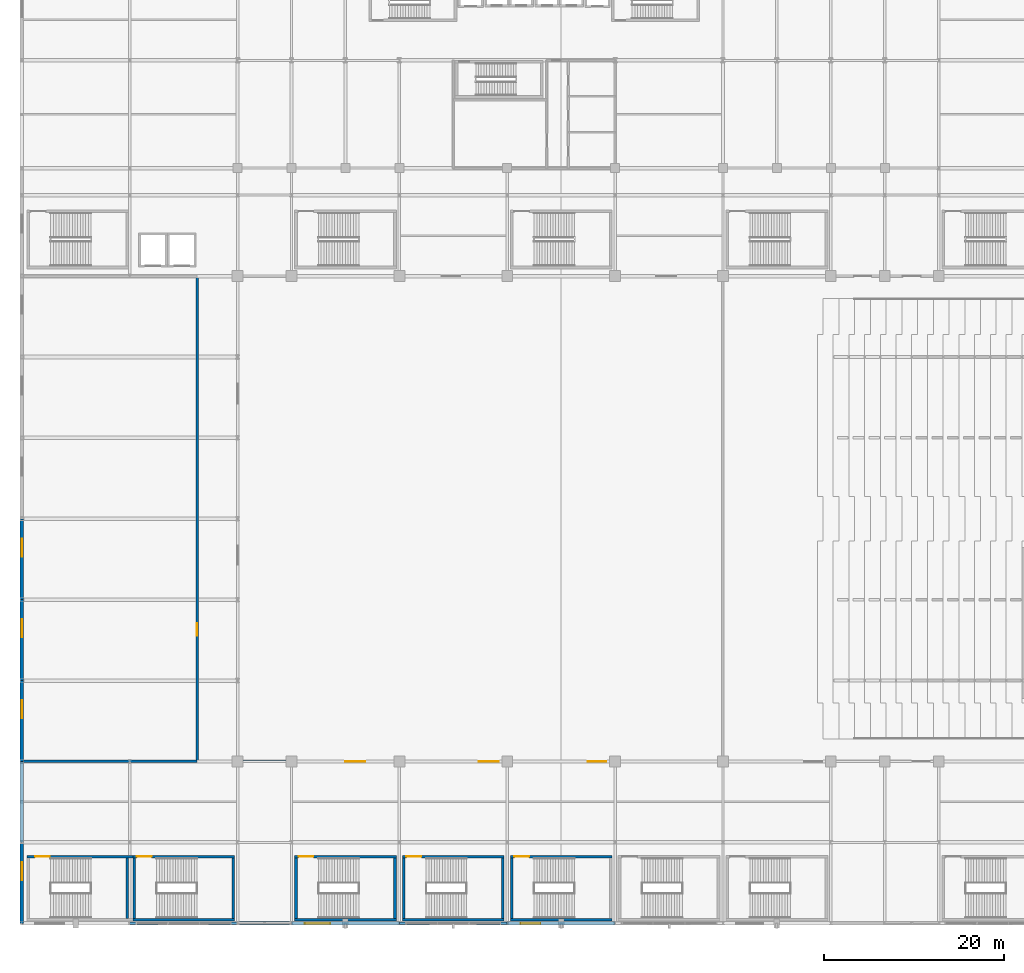
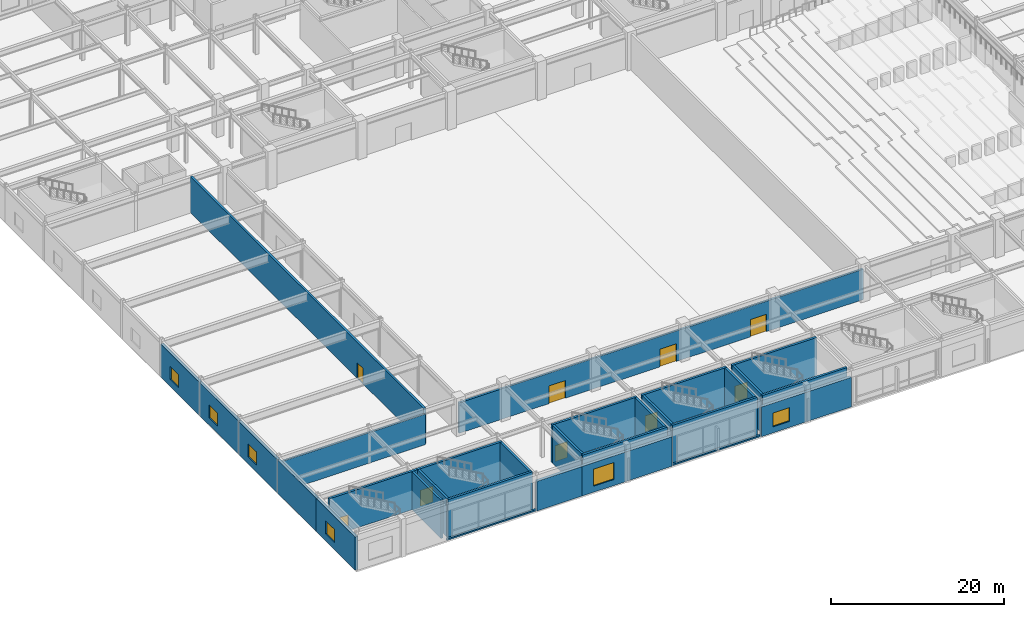
# One storey, part 79 of 100: 30 walls, 9 doors, 6 windows, 15 openings.
"""IFC4 building model written with IfcOpenShell, lengths in metres."""

from ifc_helpers import new_model, si_unit, direction, frame, frame_2d, origin, place, context, subcontext, project, spatial, rectangle, extrude, material, layer, layer_set, type_object, element, fill, save


model = new_model("IFC4")

# Units and contexts
model_context = context("Model", 3, precision=1e-05, world=origin(), true_north=direction((0.0, 1.0)))
body_context = subcontext(model_context, "Body", "Model", "MODEL_VIEW")
ifc_project = project(units=[si_unit("LENGTHUNIT", "METRE"), si_unit("AREAUNIT", "SQUARE_METRE"), si_unit("VOLUMEUNIT", "CUBIC_METRE"), si_unit("PLANEANGLEUNIT", "RADIAN"), si_unit("MASSUNIT", "GRAM", prefix="KILO")], contexts=[model_context])

# Site, building, storey
site_placement = place(None, origin())
site = spatial("IfcSite", under=ifc_project, at=site_placement, CompositionType="ELEMENT")
building_placement = place(site_placement, origin())
building = spatial("IfcBuilding", under=site, at=building_placement, Name="Kaldorvane Square Convention Centre", CompositionType="ELEMENT")
storey_placement = place(building_placement, frame((0.0, 0.0, 18.0)))
storey = spatial("IfcBuildingStorey", under=building, at=storey_placement, Name="L03", CompositionType="ELEMENT", Elevation=18.0)

# Wall, openings, doors
ifc_material_1 = material(Name="Reinforced Concrete Masonry Acoustic Partition", Category="masonry")
ifc_layer_1 = layer(ifc_material_1, 0.279998779296875)
ifc_layer_set_1 = layer_set([ifc_layer_1], Name="Reinforced Concrete Masonry Acoustic Partition")
wall_type_1 = type_object("IfcWallType", Name="WL-ACO-280", PredefinedType="PARTITIONING", material=ifc_layer_set_1)
wall_1_placement = place(storey_placement, frame((24.0, 18.0, 0.0), z_axis=(0.0, 0.0, 1.0), x_axis=(1.0, 0.0, 0.0)))
wall_1 = element("IfcWall", 1, at=wall_1_placement, inside=storey, type_object=wall_type_1, Name="Ballroom S Wall", PredefinedType="PARTITIONING", context=body_context, shape_type="SweptSolid", body=[
    extrude(rectangle(XDim=54.0, YDim=0.279998779296875, at=frame_2d((27.0, 0.0))), origin(), (0.0, 0.0, 1.0), 4.302001953125),
])
opening_1_placement = place(wall_1_placement, frame((12.0, 0.0, 0.0)))
opening_1 = element("IfcOpeningElement", 2, at=opening_1_placement, cuts=wall_1, Name="Opening ID-02", PredefinedType="OPENING", context=body_context, shape_type="SweptSolid", body=[
    extrude(rectangle(XDim=2.1999969482421875, YDim=2.5, at=frame_2d((1.100006103515625, 1.25))), frame((0.0, 0.154998779296875, 0.0), z_axis=(0.0, -1.0, 0.0), x_axis=(1.0, 0.0, 0.0)), (0.0, 0.0, 1.0), 0.30999755859375),
])
opening_2_placement = place(wall_1_placement, frame((26.830001831054688, 0.0, 0.0)))
opening_2 = element("IfcOpeningElement", 3, at=opening_2_placement, cuts=wall_1, Name="Opening ID-02", PredefinedType="OPENING", context=body_context, shape_type="SweptSolid", body=[
    extrude(rectangle(XDim=2.1999969482421875, YDim=2.5, at=frame_2d((1.100006103515625, 1.25))), frame((0.0, 0.154998779296875, 0.0), z_axis=(0.0, -1.0, 0.0), x_axis=(1.0, 0.0, 0.0)), (0.0, 0.0, 1.0), 0.30999755859375),
])
opening_3_placement = place(wall_1_placement, frame((38.92999267578125, 0.0, 0.0)))
opening_3 = element("IfcOpeningElement", 4, at=opening_3_placement, cuts=wall_1, Name="Opening ID-03", PredefinedType="OPENING", context=body_context, shape_type="SweptSolid", body=[
    extrude(rectangle(XDim=2.100006103515625, YDim=2.4499969482421875, at=frame_2d((1.0500030517578125, 1.225006103515625))), frame((0.0, 0.154998779296875, 0.0), z_axis=(0.0, -1.0, 0.0), x_axis=(1.0, 0.0, 0.0)), (0.0, 0.0, 1.0), 0.30999755859375),
])
ifc_material_2 = material(Name="Architectural Solid-Core White Oak")
door_type_1 = type_object("IfcDoorType", Name="DR-BALL-2100X2450", OperationType="DOUBLE_DOOR_SINGLE_SWING", PredefinedType="DOOR", material=ifc_material_2)
door_1_placement = place(opening_3_placement, origin())
door_1 = element("IfcDoor", 5, at=door_1_placement, inside=storey, type_object=door_type_1, Name="Ballroom Door 3", OperationType="DOUBLE_DOOR_SINGLE_SWING", OverallHeight=2.4499969482421875, OverallWidth=2.100006103515625, PredefinedType="DOOR", context=body_context, shape_type="SweptSolid", body=[
    extrude(rectangle(XDim=2.100006103515625, YDim=2.4499969482421875, at=frame_2d((1.0500030517578125, 1.225006103515625))), frame((0.0, 0.024993896484375, 0.0), z_axis=(0.0, -1.0, 0.0), x_axis=(1.0, 0.0, 0.0)), (0.0, 0.0, 1.0), 0.0500030517578125),
])
fill(opening_3, door_1)
door_type_2 = type_object("IfcDoorType", Name="DR-BALL-2200X2500", OperationType="DOUBLE_DOOR_SINGLE_SWING", PredefinedType="DOOR", material=ifc_material_2)
door_2_placement = place(opening_1_placement, origin())
door_2 = element("IfcDoor", 6, at=door_2_placement, inside=storey, type_object=door_type_2, Name="Ballroom Door 1", OperationType="DOUBLE_DOOR_SINGLE_SWING", OverallHeight=2.5, OverallWidth=2.1999969482421875, PredefinedType="DOOR", context=body_context, shape_type="SweptSolid", body=[
    extrude(rectangle(XDim=2.1999969482421875, YDim=2.5, at=frame_2d((1.100006103515625, 1.25))), frame((0.0, 0.024993896484375, 0.0), z_axis=(0.0, -1.0, 0.0), x_axis=(1.0, 0.0, 0.0)), (0.0, 0.0, 1.0), 0.0500030517578125),
])
fill(opening_1, door_2)
door_3_placement = place(opening_2_placement, origin())
door_3 = element("IfcDoor", 7, at=door_3_placement, inside=storey, type_object=door_type_2, Name="Ballroom Door 2", OperationType="DOUBLE_DOOR_SINGLE_SWING", OverallHeight=2.5, OverallWidth=2.1999969482421875, PredefinedType="DOOR", context=body_context, shape_type="SweptSolid", body=[
    extrude(rectangle(XDim=2.1999969482421875, YDim=2.5, at=frame_2d((1.100006103515625, 1.25))), frame((0.0, 0.024993896484375, 0.0), z_axis=(0.0, -1.0, 0.0), x_axis=(1.0, 0.0, 0.0)), (0.0, 0.0, 1.0), 0.0500030517578125),
])
fill(opening_2, door_3)

# Wall
wall_2_placement = place(storey_placement, frame((0.19000244140625, 18.0, 0.0), z_axis=(0.0, 0.0, 1.0), x_axis=(1.0, 0.0, 0.0)))
element("IfcWall", 8, at=wall_2_placement, inside=storey, type_object=wall_type_1, Name="Banquet Catering Kitchen S Wall", PredefinedType="PARTITIONING", context=body_context, shape_type="SweptSolid", body=[
    extrude(rectangle(XDim=19.30999755859375, YDim=0.279998779296875, at=frame_2d((9.654998779296875, 0.0))), origin(), (0.0, 0.0, 1.0), 4.302001953125),
])

# Wall, opening, door
wall_3_placement = place(storey_placement, frame((19.5, 18.0, 0.0), z_axis=(0.0, 0.0, 1.0), x_axis=(0.0, 1.0, 0.0)))
wall_3 = element("IfcWall", 9, at=wall_3_placement, inside=storey, type_object=wall_type_1, Name="Banquet Catering Kitchen E Wall", PredefinedType="PARTITIONING", context=body_context, shape_type="SweptSolid", body=[
    extrude(rectangle(XDim=54.0, YDim=0.279998779296875, at=frame_2d((27.0, 0.0))), origin(), (0.0, 0.0, 1.0), 5.0800018310546875),
])
opening_4_placement = place(wall_3_placement, frame((14.0, 0.0, 0.0)))
opening_4 = element("IfcOpeningElement", 10, at=opening_4_placement, cuts=wall_3, Name="Opening ID-08", PredefinedType="OPENING", context=body_context, shape_type="SweptSolid", body=[
    extrude(rectangle(XDim=1.399993896484375, YDim=2.1999969482421875, at=frame_2d((0.6999969482421875, 1.100006103515625))), frame((0.0, 0.154998779296875, 0.0), z_axis=(0.0, -1.0, 0.0), x_axis=(1.0, 0.0, 0.0)), (0.0, 0.0, 1.0), 0.30999755859375),
])
ifc_material_3 = material(Name="Insulated Hollow Metal Steel", Category="steel")
door_type_3 = type_object("IfcDoorType", Name="DR-SVC-1400X2200", OperationType="DOUBLE_DOOR_SINGLE_SWING", PredefinedType="DOOR", material=ifc_material_3)
door_4_placement = place(opening_4_placement, origin())
door_4 = element("IfcDoor", 11, at=door_4_placement, inside=storey, type_object=door_type_3, Name="Banquet Catering Kitchen Door 1", OperationType="DOUBLE_DOOR_SINGLE_SWING", OverallHeight=2.1999969482421875, OverallWidth=1.399993896484375, PredefinedType="DOOR", context=body_context, shape_type="SweptSolid", body=[
    extrude(rectangle(XDim=1.399993896484375, YDim=2.1999969482421875, at=frame_2d((0.6999969482421875, 1.100006103515625))), frame((0.0, 0.024993896484375, 0.0), z_axis=(0.0, -1.0, 0.0), x_axis=(1.0, 0.0, 0.0)), (0.0, 0.0, 1.0), 0.0500030517578125),
])
fill(opening_4, door_4)

# Wall
ifc_material_4 = material(Name="Concrete f'c = 42 MPa (Normalweight)", Category="concrete")
ifc_layer_2 = layer(ifc_material_4, 0.3800048828125)
ifc_layer_set_2 = layer_set([ifc_layer_2], Name="Concrete f'c = 42 MPa (Normalweight)")
wall_type_2 = type_object("IfcWallType", Name="WL-EXT-380", PredefinedType="STANDARD", material=ifc_layer_set_2)
wall_4_placement = place(storey_placement, frame((24.0, 0.0, 0.0), z_axis=(0.0, 0.0, 1.0), x_axis=(1.0, 0.0, 0.0)))
element("IfcWall", 12, at=wall_4_placement, inside=storey, type_object=wall_type_2, Name="South Square Brutalist Facade Wall (L03)", PredefinedType="STANDARD", context=body_context, shape_type="SweptSolid", body=[
    extrude(rectangle(XDim=6.0, YDim=0.3800048828125, at=frame_2d((3.0, 0.0))), origin(), (0.0, 0.0, 1.0), 4.175994873046875),
])

# Wall, opening, window
wall_5_placement = place(storey_placement, frame((30.0, 0.0, 0.0), z_axis=(0.0, 0.0, 1.0), x_axis=(1.0, 0.0, 0.0)))
wall_5 = element("IfcWall", 13, at=wall_5_placement, inside=storey, type_object=wall_type_2, Name="South Square Brutalist Facade Wall (L03)", PredefinedType="STANDARD", context=body_context, shape_type="SweptSolid", body=[
    extrude(rectangle(XDim=12.0, YDim=0.3800048828125, at=frame_2d((6.0, 0.0))), origin(), (0.0, 0.0, 1.0), 4.175994873046875),
])
opening_5_placement = place(wall_5_placement, frame((1.5, 0.0, 0.850006103515625)))
opening_5 = element("IfcOpeningElement", 14, at=opening_5_placement, cuts=wall_5, Name="Opening W-17", PredefinedType="OPENING", context=body_context, shape_type="SweptSolid", body=[
    extrude(rectangle(XDim=2.8000030517578125, YDim=2.399993896484375, at=frame_2d((1.399993896484375, 1.1999969482421875))), frame((0.0, 0.2050018310546875, 0.0), z_axis=(0.0, -1.0, 0.0), x_axis=(1.0, 0.0, 0.0)), (0.0, 0.0, 1.0), 0.410003662109375),
])
ifc_material_5 = material(Name="Anodized Aluminum and Low-E Insulated Glazing", Category="aluminium")
window_type_1 = type_object("IfcWindowType", Name="WN-POD-2800X2400", PartitioningType="DOUBLE_PANEL_VERTICAL", PredefinedType="WINDOW", material=ifc_material_5)
window_1_placement = place(opening_5_placement, origin())
window_1 = element("IfcWindow", 15, at=window_1_placement, inside=storey, type_object=window_type_1, Name="South Facade Window (L03)", OverallHeight=2.399993896484375, OverallWidth=2.8000030517578125, PartitioningType="DOUBLE_PANEL_VERTICAL", PredefinedType="WINDOW", context=body_context, shape_type="SweptSolid", body=[
    extrude(rectangle(XDim=2.8000030517578125, YDim=2.399993896484375, at=frame_2d((1.399993896484375, 1.1999969482421875))), frame((0.0, 0.029998779296875, 0.0), z_axis=(0.0, -1.0, 0.0), x_axis=(1.0, 0.0, 0.0)), (0.0, 0.0, 1.0), 0.05999755859375),
])
fill(opening_5, window_1)

wall_6_placement = place(storey_placement, frame((54.0, 0.0, 0.0), z_axis=(0.0, 0.0, 1.0), x_axis=(1.0, 0.0, 0.0)))
wall_6 = element("IfcWall", 16, at=wall_6_placement, inside=storey, type_object=wall_type_2, Name="South Square Brutalist Facade Wall (L03)", PredefinedType="STANDARD", context=body_context, shape_type="SweptSolid", body=[
    extrude(rectangle(XDim=12.0, YDim=0.3800048828125, at=frame_2d((6.0, 0.0))), origin(), (0.0, 0.0, 1.0), 4.175994873046875),
])
opening_6_placement = place(wall_6_placement, frame((1.5, 0.0, 0.850006103515625)))
opening_6 = element("IfcOpeningElement", 17, at=opening_6_placement, cuts=wall_6, Name="Opening W-20", PredefinedType="OPENING", context=body_context, shape_type="SweptSolid", body=[
    extrude(rectangle(XDim=2.1999969482421875, YDim=1.9499969482421875, at=frame_2d((1.100006103515625, 0.975006103515625))), frame((0.0, 0.2050018310546875, 0.0), z_axis=(0.0, -1.0, 0.0), x_axis=(1.0, 0.0, 0.0)), (0.0, 0.0, 1.0), 0.410003662109375),
])
window_type_2 = type_object("IfcWindowType", Name="WN-POD-2200X1950", PartitioningType="DOUBLE_PANEL_VERTICAL", PredefinedType="WINDOW", material=ifc_material_5)
window_2_placement = place(opening_6_placement, origin())
window_2 = element("IfcWindow", 18, at=window_2_placement, inside=storey, type_object=window_type_2, Name="South Facade Window (L03)", OverallHeight=1.9499969482421875, OverallWidth=2.1999969482421875, PartitioningType="DOUBLE_PANEL_VERTICAL", PredefinedType="WINDOW", context=body_context, shape_type="SweptSolid", body=[
    extrude(rectangle(XDim=2.1999969482421875, YDim=1.9499969482421875, at=frame_2d((1.100006103515625, 0.975006103515625))), frame((0.0, 0.029998779296875, 0.0), z_axis=(0.0, -1.0, 0.0), x_axis=(1.0, 0.0, 0.0)), (0.0, 0.0, 1.0), 0.05999755859375),
])
fill(opening_6, window_2)

wall_7_placement = place(storey_placement, frame((0.0, 9.0, 0.0), z_axis=(0.0, 0.0, 1.0), x_axis=(0.0, -1.0, 0.0)))
wall_7 = element("IfcWall", 19, at=wall_7_placement, inside=storey, type_object=wall_type_2, Name="West Brutalist Facade Wall (L03)", PredefinedType="STANDARD", context=body_context, shape_type="SweptSolid", body=[
    extrude(rectangle(XDim=9.0, YDim=0.3800048828125, at=frame_2d((4.5, 0.0))), origin(), (0.0, 0.0, 1.0), 4.66900634765625),
])
opening_7_placement = place(wall_7_placement, frame((2.1999969482421875, 0.0, 1.0)))
opening_7 = element("IfcOpeningElement", 20, at=opening_7_placement, cuts=wall_7, Name="Opening W-21", PredefinedType="OPENING", context=body_context, shape_type="SweptSolid", body=[
    extrude(rectangle(XDim=2.0, YDim=1.850006103515625, at=frame_2d((1.0, 0.9250030517578125))), frame((0.0, 0.2050018310546875, 0.0), z_axis=(0.0, -1.0, 0.0), x_axis=(1.0, 0.0, 0.0)), (0.0, 0.0, 1.0), 0.410003662109375),
])
window_type_3 = type_object("IfcWindowType", Name="WN-POD-2000X1850", PartitioningType="DOUBLE_PANEL_VERTICAL", PredefinedType="WINDOW", material=ifc_material_5)
window_3_placement = place(opening_7_placement, origin())
window_3 = element("IfcWindow", 21, at=window_3_placement, inside=storey, type_object=window_type_3, Name="West Facade Window (L03)", OverallHeight=1.850006103515625, OverallWidth=2.0, PartitioningType="DOUBLE_PANEL_VERTICAL", PredefinedType="WINDOW", context=body_context, shape_type="SweptSolid", body=[
    extrude(rectangle(XDim=2.0, YDim=1.850006103515625, at=frame_2d((1.0, 0.9250030517578125))), frame((0.0, 0.029998779296875, 0.0), z_axis=(0.0, -1.0, 0.0), x_axis=(1.0, 0.0, 0.0)), (0.0, 0.0, 1.0), 0.05999755859375),
])
fill(opening_7, window_3)

# Wall
wall_8_placement = place(storey_placement, frame((0.0, 18.0, 0.0), z_axis=(0.0, 0.0, 1.0), x_axis=(0.0, -1.0, 0.0)))
element("IfcWall", 22, at=wall_8_placement, inside=storey, type_object=wall_type_2, Name="West Brutalist Facade Wall (L03)", PredefinedType="STANDARD", context=body_context, shape_type="SweptSolid", body=[
    extrude(rectangle(XDim=9.0, YDim=0.3800048828125, at=frame_2d((4.5, 0.0))), origin(), (0.0, 0.0, 1.0), 4.66900634765625),
])

# Wall, opening, window
wall_9_placement = place(storey_placement, frame((0.0, 27.0, 0.0), z_axis=(0.0, 0.0, 1.0), x_axis=(0.0, -1.0, 0.0)))
wall_9 = element("IfcWall", 23, at=wall_9_placement, inside=storey, type_object=wall_type_2, Name="West Brutalist Facade Wall (L03)", PredefinedType="STANDARD", context=body_context, shape_type="SweptSolid", body=[
    extrude(rectangle(XDim=9.0, YDim=0.3800048828125, at=frame_2d((4.5, 0.0))), origin(), (0.0, 0.0, 1.0), 4.66900634765625),
])
opening_8_placement = place(wall_9_placement, frame((2.1999969482421875, 0.0, 1.0)))
opening_8 = element("IfcOpeningElement", 24, at=opening_8_placement, cuts=wall_9, Name="Opening W-21", PredefinedType="OPENING", context=body_context, shape_type="SweptSolid", body=[
    extrude(rectangle(XDim=2.0, YDim=1.850006103515625, at=frame_2d((1.0, 0.9250030517578125))), frame((0.0, 0.2050018310546875, 0.0), z_axis=(0.0, -1.0, 0.0), x_axis=(1.0, 0.0, 0.0)), (0.0, 0.0, 1.0), 0.410003662109375),
])
window_4_placement = place(opening_8_placement, origin())
window_4 = element("IfcWindow", 25, at=window_4_placement, inside=storey, type_object=window_type_3, Name="West Facade Window (L03)", OverallHeight=1.850006103515625, OverallWidth=2.0, PartitioningType="DOUBLE_PANEL_VERTICAL", PredefinedType="WINDOW", context=body_context, shape_type="SweptSolid", body=[
    extrude(rectangle(XDim=2.0, YDim=1.850006103515625, at=frame_2d((1.0, 0.9250030517578125))), frame((0.0, 0.029998779296875, 0.0), z_axis=(0.0, -1.0, 0.0), x_axis=(1.0, 0.0, 0.0)), (0.0, 0.0, 1.0), 0.05999755859375),
])
fill(opening_8, window_4)

wall_10_placement = place(storey_placement, frame((0.0, 36.0, 0.0), z_axis=(0.0, 0.0, 1.0), x_axis=(0.0, -1.0, 0.0)))
wall_10 = element("IfcWall", 26, at=wall_10_placement, inside=storey, type_object=wall_type_2, Name="West Brutalist Facade Wall (L03)", PredefinedType="STANDARD", context=body_context, shape_type="SweptSolid", body=[
    extrude(rectangle(XDim=9.0, YDim=0.3800048828125, at=frame_2d((4.5, 0.0))), origin(), (0.0, 0.0, 1.0), 4.66900634765625),
])
opening_9_placement = place(wall_10_placement, frame((2.1999969482421875, 0.0, 1.0)))
opening_9 = element("IfcOpeningElement", 27, at=opening_9_placement, cuts=wall_10, Name="Opening W-21", PredefinedType="OPENING", context=body_context, shape_type="SweptSolid", body=[
    extrude(rectangle(XDim=2.0, YDim=1.850006103515625, at=frame_2d((1.0, 0.9250030517578125))), frame((0.0, 0.2050018310546875, 0.0), z_axis=(0.0, -1.0, 0.0), x_axis=(1.0, 0.0, 0.0)), (0.0, 0.0, 1.0), 0.410003662109375),
])
window_5_placement = place(opening_9_placement, origin())
window_5 = element("IfcWindow", 28, at=window_5_placement, inside=storey, type_object=window_type_3, Name="West Facade Window (L03)", OverallHeight=1.850006103515625, OverallWidth=2.0, PartitioningType="DOUBLE_PANEL_VERTICAL", PredefinedType="WINDOW", context=body_context, shape_type="SweptSolid", body=[
    extrude(rectangle(XDim=2.0, YDim=1.850006103515625, at=frame_2d((1.0, 0.9250030517578125))), frame((0.0, 0.029998779296875, 0.0), z_axis=(0.0, -1.0, 0.0), x_axis=(1.0, 0.0, 0.0)), (0.0, 0.0, 1.0), 0.05999755859375),
])
fill(opening_9, window_5)

wall_11_placement = place(storey_placement, frame((0.0, 45.0, 0.0), z_axis=(0.0, 0.0, 1.0), x_axis=(0.0, -1.0, 0.0)))
wall_11 = element("IfcWall", 29, at=wall_11_placement, inside=storey, type_object=wall_type_2, Name="West Brutalist Facade Wall (L03)", PredefinedType="STANDARD", context=body_context, shape_type="SweptSolid", body=[
    extrude(rectangle(XDim=9.0, YDim=0.3800048828125, at=frame_2d((4.5, 0.0))), origin(), (0.0, 0.0, 1.0), 4.66900634765625),
])
opening_10_placement = place(wall_11_placement, frame((2.1999969482421875, 0.0, 1.0)))
opening_10 = element("IfcOpeningElement", 30, at=opening_10_placement, cuts=wall_11, Name="Opening W-21", PredefinedType="OPENING", context=body_context, shape_type="SweptSolid", body=[
    extrude(rectangle(XDim=2.0, YDim=1.850006103515625, at=frame_2d((1.0, 0.9250030517578125))), frame((0.0, 0.2050018310546875, 0.0), z_axis=(0.0, -1.0, 0.0), x_axis=(1.0, 0.0, 0.0)), (0.0, 0.0, 1.0), 0.410003662109375),
])
window_6_placement = place(opening_10_placement, origin())
window_6 = element("IfcWindow", 31, at=window_6_placement, inside=storey, type_object=window_type_3, Name="West Facade Window (L03)", OverallHeight=1.850006103515625, OverallWidth=2.0, PartitioningType="DOUBLE_PANEL_VERTICAL", PredefinedType="WINDOW", context=body_context, shape_type="SweptSolid", body=[
    extrude(rectangle(XDim=2.0, YDim=1.850006103515625, at=frame_2d((1.0, 0.9250030517578125))), frame((0.0, 0.029998779296875, 0.0), z_axis=(0.0, -1.0, 0.0), x_axis=(1.0, 0.0, 0.0)), (0.0, 0.0, 1.0), 0.05999755859375),
])
fill(opening_10, window_6)

# Walls
ifc_material_6 = material(Name="Concrete f'c = 35 MPa (Normalweight)", Category="concrete")
ifc_layer_3 = layer(ifc_material_6, 0.279998779296875)
ifc_layer_set_3 = layer_set([ifc_layer_3], Name="Concrete f'c = 35 MPa (Normalweight)")
wall_type_3 = type_object("IfcWallType", Name="WL-PAR-280", PredefinedType="PARAPET", material=ifc_layer_set_3)
for number, where, z_axis, x_axis, name in (
    (32, (12.0, 0.0, 0.0), (0.0, 0.0, 1.0), (1.0, 0.0, 0.0), "Curtain-Wall Sill Kerb (L03)"),
    (33, (42.0, 0.0, 0.0), (0.0, 0.0, 1.0), (1.0, 0.0, 0.0), "Curtain-Wall Sill Kerb (L03)"),
):
    element("IfcWall", number, at=place(storey_placement, frame(where, z_axis=z_axis, x_axis=x_axis)), inside=storey, type_object=wall_type_3, Name=name, PredefinedType="PARAPET", context=body_context, shape_type="SweptSolid", body=[
        extrude(rectangle(XDim=12.0, YDim=0.279998779296875, at=frame_2d((6.0, 0.0))), origin(), (0.0, 0.0, 1.0), 0.1999969482421875),
    ])

# Wall, opening, door
ifc_material_7 = material(Name="Concrete f'c = 55 MPa (Normalweight)", Category="concrete")
ifc_layer_4 = layer(ifc_material_7, 0.3000030517578125)
ifc_layer_set_4 = layer_set([ifc_layer_4], Name="Concrete f'c = 55 MPa (Normalweight)")
wall_type_4 = type_object("IfcWallType", Name="WL-SHAFT-300", PredefinedType="SHEAR", material=ifc_layer_set_4)
wall_12_placement = place(storey_placement, frame((12.339996337890625, 7.410003662109375, 0.0), z_axis=(0.0, 0.0, 1.0), x_axis=(-1.0, 0.0, 0.0)))
wall_12 = element("IfcWall", 34, at=wall_12_placement, inside=storey, type_object=wall_type_4, Name="Core Enclosure Wall stair:ST-C1-N (L03)", PredefinedType="SHEAR", context=body_context, shape_type="SweptSolid", body=[
    extrude(rectangle(XDim=11.779998779296875, YDim=0.3000030517578125, at=frame_2d((5.8899993896484375, 0.0))), origin(), (0.0, 0.0, 1.0), 5.399993896484375),
])
opening_11_placement = place(wall_12_placement, frame((9.220001220703125, 0.0, 0.0)))
opening_11 = element("IfcOpeningElement", 35, at=opening_11_placement, cuts=wall_12, Name="Opening FD90-S2", PredefinedType="OPENING", context=body_context, shape_type="SweptSolid", body=[
    extrude(rectangle(XDim=1.649993896484375, YDim=2.25, at=frame_2d((0.8249969482421875, 1.125))), frame((0.0, 0.165008544921875, 0.0), z_axis=(0.0, -1.0, 0.0), x_axis=(1.0, 0.0, 0.0)), (0.0, 0.0, 1.0), 0.3300018310546875),
])
ifc_material_8 = material(Name="Fire-Rated Hollow Metal Steel", Category="steel")
door_type_4 = type_object("IfcDoorType", Name="DR-STAIR-1650", OperationType="DOUBLE_DOOR_SINGLE_SWING", PredefinedType="DOOR", material=ifc_material_8)
door_5_placement = place(opening_11_placement, origin())
door_5 = element("IfcDoor", 36, at=door_5_placement, inside=storey, type_object=door_type_4, Name="Convention Exit Stair C1 Fire Door (L03)", OperationType="DOUBLE_DOOR_SINGLE_SWING", OverallHeight=2.25, OverallWidth=1.649993896484375, PredefinedType="DOOR", context=body_context, shape_type="SweptSolid", body=[
    extrude(rectangle(XDim=1.649993896484375, YDim=2.25, at=frame_2d((0.8249969482421875, 1.125))), frame((0.0, 0.024993896484375, 0.0), z_axis=(0.0, -1.0, 0.0), x_axis=(1.0, 0.0, 0.0)), (0.0, 0.0, 1.0), 0.0500030517578125),
])
fill(opening_11, door_5)

# Walls
wall_13_placement = place(storey_placement, frame((11.729995727539062, 0.5500030517578125, 0.0), z_axis=(0.0, 0.0, 1.0), x_axis=(0.0, 1.0, 0.0)))
element("IfcWall", 37, at=wall_13_placement, inside=storey, type_object=wall_type_4, Name="Core Enclosure Wall stair:ST-C1-E (L03)", PredefinedType="SHEAR", context=body_context, shape_type="SweptSolid", body=[
    extrude(rectangle(XDim=6.709991455078125, YDim=0.3000030517578125, at=frame_2d((3.3549957275390625, 0.0))), origin(), (0.0, 0.0, 1.0), 5.399993896484375),
])
wall_14_placement = place(storey_placement, frame((23.660003662109375, 0.399993896484375, 0.0), z_axis=(0.0, 0.0, 1.0), x_axis=(-1.0, 0.0, 0.0)))
element("IfcWall", 38, at=wall_14_placement, inside=storey, type_object=wall_type_4, Name="Core Enclosure Wall stair:ST-C2-S (L03)", PredefinedType="SHEAR", context=body_context, shape_type="SweptSolid", body=[
    extrude(rectangle(XDim=11.32000732421875, YDim=0.3000030517578125, at=frame_2d((5.660003662109375, 0.0))), origin(), (0.0, 0.0, 1.0), 5.399993896484375),
])

# Wall, opening, door
wall_15_placement = place(storey_placement, frame((23.660003662109375, 7.410003662109375, 0.0), z_axis=(0.0, 0.0, 1.0), x_axis=(-1.0, 0.0, 0.0)))
wall_15 = element("IfcWall", 39, at=wall_15_placement, inside=storey, type_object=wall_type_4, Name="Core Enclosure Wall stair:ST-C2-N (L03)", PredefinedType="SHEAR", context=body_context, shape_type="SweptSolid", body=[
    extrude(rectangle(XDim=11.32000732421875, YDim=0.3000030517578125, at=frame_2d((5.660003662109375, 0.0))), origin(), (0.0, 0.0, 1.0), 5.399993896484375),
])
opening_12_placement = place(wall_15_placement, frame((9.220001220703125, 0.0, 0.0)))
opening_12 = element("IfcOpeningElement", 40, at=opening_12_placement, cuts=wall_15, Name="Opening FD90-S2", PredefinedType="OPENING", context=body_context, shape_type="SweptSolid", body=[
    extrude(rectangle(XDim=1.649993896484375, YDim=2.25, at=frame_2d((0.8249969482421875, 1.125))), frame((0.0, 0.165008544921875, 0.0), z_axis=(0.0, -1.0, 0.0), x_axis=(1.0, 0.0, 0.0)), (0.0, 0.0, 1.0), 0.3300018310546875),
])
door_6_placement = place(opening_12_placement, origin())
door_6 = element("IfcDoor", 41, at=door_6_placement, inside=storey, type_object=door_type_4, Name="Convention Exit Stair C2 Fire Door (L03)", OperationType="DOUBLE_DOOR_SINGLE_SWING", OverallHeight=2.25, OverallWidth=1.649993896484375, PredefinedType="DOOR", context=body_context, shape_type="SweptSolid", body=[
    extrude(rectangle(XDim=1.649993896484375, YDim=2.25, at=frame_2d((0.8249969482421875, 1.125))), frame((0.0, 0.024993896484375, 0.0), z_axis=(0.0, -1.0, 0.0), x_axis=(1.0, 0.0, 0.0)), (0.0, 0.0, 1.0), 0.0500030517578125),
])
fill(opening_12, door_6)

# Walls
for number, where, z_axis, x_axis, name in (
    (42, (12.490005493164062, 7.2599945068359375, 0.0), (0.0, 0.0, 1.0), (0.0, -1.0, 0.0), "Core Enclosure Wall stair:ST-C2-W (L03)"),
    (43, (23.509994506835938, 0.5500030517578125, 0.0), (0.0, 0.0, 1.0), (0.0, 1.0, 0.0), "Core Enclosure Wall stair:ST-C2-E (L03)"),
):
    element("IfcWall", number, at=place(storey_placement, frame(where, z_axis=z_axis, x_axis=x_axis)), inside=storey, type_object=wall_type_4, Name=name, PredefinedType="SHEAR", context=body_context, shape_type="SweptSolid", body=[
        extrude(rectangle(XDim=6.709991455078125, YDim=0.3000030517578125, at=frame_2d((3.3549957275390625, 0.0))), origin(), (0.0, 0.0, 1.0), 5.399993896484375),
    ])
wall_16_placement = place(storey_placement, frame((41.660003662109375, 0.399993896484375, 0.0), z_axis=(0.0, 0.0, 1.0), x_axis=(-1.0, 0.0, 0.0)))
element("IfcWall", 44, at=wall_16_placement, inside=storey, type_object=wall_type_4, Name="Core Enclosure Wall stair:ST-C3-S (L03)", PredefinedType="SHEAR", context=body_context, shape_type="SweptSolid", body=[
    extrude(rectangle(XDim=11.32000732421875, YDim=0.3000030517578125, at=frame_2d((5.660003662109375, 0.0))), origin(), (0.0, 0.0, 1.0), 5.399993896484375),
])

# Wall, opening, door
wall_17_placement = place(storey_placement, frame((41.660003662109375, 7.410003662109375, 0.0), z_axis=(0.0, 0.0, 1.0), x_axis=(-1.0, 0.0, 0.0)))
wall_17 = element("IfcWall", 45, at=wall_17_placement, inside=storey, type_object=wall_type_4, Name="Core Enclosure Wall stair:ST-C3-N (L03)", PredefinedType="SHEAR", context=body_context, shape_type="SweptSolid", body=[
    extrude(rectangle(XDim=11.32000732421875, YDim=0.3000030517578125, at=frame_2d((5.660003662109375, 0.0))), origin(), (0.0, 0.0, 1.0), 5.399993896484375),
])
opening_13_placement = place(wall_17_placement, frame((9.220001220703125, 0.0, 0.0)))
opening_13 = element("IfcOpeningElement", 46, at=opening_13_placement, cuts=wall_17, Name="Opening FD90-S2", PredefinedType="OPENING", context=body_context, shape_type="SweptSolid", body=[
    extrude(rectangle(XDim=1.649993896484375, YDim=2.25, at=frame_2d((0.8249969482421875, 1.125))), frame((0.0, 0.165008544921875, 0.0), z_axis=(0.0, -1.0, 0.0), x_axis=(1.0, 0.0, 0.0)), (0.0, 0.0, 1.0), 0.3300018310546875),
])
door_7_placement = place(opening_13_placement, origin())
door_7 = element("IfcDoor", 47, at=door_7_placement, inside=storey, type_object=door_type_4, Name="Convention Exit Stair C3 Fire Door (L03)", OperationType="DOUBLE_DOOR_SINGLE_SWING", OverallHeight=2.25, OverallWidth=1.649993896484375, PredefinedType="DOOR", context=body_context, shape_type="SweptSolid", body=[
    extrude(rectangle(XDim=1.649993896484375, YDim=2.25, at=frame_2d((0.8249969482421875, 1.125))), frame((0.0, 0.024993896484375, 0.0), z_axis=(0.0, -1.0, 0.0), x_axis=(1.0, 0.0, 0.0)), (0.0, 0.0, 1.0), 0.0500030517578125),
])
fill(opening_13, door_7)

# Walls
for number, where, z_axis, x_axis, name in (
    (48, (30.490005493164062, 7.2599945068359375, 0.0), (0.0, 0.0, 1.0), (0.0, -1.0, 0.0), "Core Enclosure Wall stair:ST-C3-W (L03)"),
    (49, (41.50999450683594, 0.5500030517578125, 0.0), (0.0, 0.0, 1.0), (0.0, 1.0, 0.0), "Core Enclosure Wall stair:ST-C3-E (L03)"),
):
    element("IfcWall", number, at=place(storey_placement, frame(where, z_axis=z_axis, x_axis=x_axis)), inside=storey, type_object=wall_type_4, Name=name, PredefinedType="SHEAR", context=body_context, shape_type="SweptSolid", body=[
        extrude(rectangle(XDim=6.709991455078125, YDim=0.3000030517578125, at=frame_2d((3.3549957275390625, 0.0))), origin(), (0.0, 0.0, 1.0), 5.399993896484375),
    ])
wall_18_placement = place(storey_placement, frame((53.660003662109375, 0.399993896484375, 0.0), z_axis=(0.0, 0.0, 1.0), x_axis=(-1.0, 0.0, 0.0)))
element("IfcWall", 50, at=wall_18_placement, inside=storey, type_object=wall_type_4, Name="Core Enclosure Wall stair:ST-C4-S (L03)", PredefinedType="SHEAR", context=body_context, shape_type="SweptSolid", body=[
    extrude(rectangle(XDim=11.32000732421875, YDim=0.3000030517578125, at=frame_2d((5.660003662109375, 0.0))), origin(), (0.0, 0.0, 1.0), 5.399993896484375),
])

# Wall, opening, door
wall_19_placement = place(storey_placement, frame((53.660003662109375, 7.410003662109375, 0.0), z_axis=(0.0, 0.0, 1.0), x_axis=(-1.0, 0.0, 0.0)))
wall_19 = element("IfcWall", 51, at=wall_19_placement, inside=storey, type_object=wall_type_4, Name="Core Enclosure Wall stair:ST-C4-N (L03)", PredefinedType="SHEAR", context=body_context, shape_type="SweptSolid", body=[
    extrude(rectangle(XDim=11.32000732421875, YDim=0.3000030517578125, at=frame_2d((5.660003662109375, 0.0))), origin(), (0.0, 0.0, 1.0), 5.399993896484375),
])
opening_14_placement = place(wall_19_placement, frame((9.220001220703125, 0.0, 0.0)))
opening_14 = element("IfcOpeningElement", 52, at=opening_14_placement, cuts=wall_19, Name="Opening FD90-S2", PredefinedType="OPENING", context=body_context, shape_type="SweptSolid", body=[
    extrude(rectangle(XDim=1.649993896484375, YDim=2.25, at=frame_2d((0.8249969482421875, 1.125))), frame((0.0, 0.165008544921875, 0.0), z_axis=(0.0, -1.0, 0.0), x_axis=(1.0, 0.0, 0.0)), (0.0, 0.0, 1.0), 0.3300018310546875),
])
door_8_placement = place(opening_14_placement, origin())
door_8 = element("IfcDoor", 53, at=door_8_placement, inside=storey, type_object=door_type_4, Name="Convention Exit Stair C4 Fire Door (L03)", OperationType="DOUBLE_DOOR_SINGLE_SWING", OverallHeight=2.25, OverallWidth=1.649993896484375, PredefinedType="DOOR", context=body_context, shape_type="SweptSolid", body=[
    extrude(rectangle(XDim=1.649993896484375, YDim=2.25, at=frame_2d((0.8249969482421875, 1.125))), frame((0.0, 0.024993896484375, 0.0), z_axis=(0.0, -1.0, 0.0), x_axis=(1.0, 0.0, 0.0)), (0.0, 0.0, 1.0), 0.0500030517578125),
])
fill(opening_14, door_8)

# Walls
for number, where, z_axis, x_axis, name in (
    (54, (42.49000549316406, 7.2599945068359375, 0.0), (0.0, 0.0, 1.0), (0.0, -1.0, 0.0), "Core Enclosure Wall stair:ST-C4-W (L03)"),
    (55, (53.50999450683594, 0.5500030517578125, 0.0), (0.0, 0.0, 1.0), (0.0, 1.0, 0.0), "Core Enclosure Wall stair:ST-C4-E (L03)"),
):
    element("IfcWall", number, at=place(storey_placement, frame(where, z_axis=z_axis, x_axis=x_axis)), inside=storey, type_object=wall_type_4, Name=name, PredefinedType="SHEAR", context=body_context, shape_type="SweptSolid", body=[
        extrude(rectangle(XDim=6.709991455078125, YDim=0.3000030517578125, at=frame_2d((3.3549957275390625, 0.0))), origin(), (0.0, 0.0, 1.0), 5.399993896484375),
    ])
wall_20_placement = place(storey_placement, frame((65.66000366210938, 0.399993896484375, 0.0), z_axis=(0.0, 0.0, 1.0), x_axis=(-1.0, 0.0, 0.0)))
element("IfcWall", 56, at=wall_20_placement, inside=storey, type_object=wall_type_4, Name="Core Enclosure Wall stair:ST-C5-S (L03)", PredefinedType="SHEAR", context=body_context, shape_type="SweptSolid", body=[
    extrude(rectangle(XDim=11.32000732421875, YDim=0.3000030517578125, at=frame_2d((5.660003662109375, 0.0))), origin(), (0.0, 0.0, 1.0), 5.399993896484375),
])

# Wall, opening, door
wall_21_placement = place(storey_placement, frame((65.66000366210938, 7.410003662109375, 0.0), z_axis=(0.0, 0.0, 1.0), x_axis=(-1.0, 0.0, 0.0)))
wall_21 = element("IfcWall", 57, at=wall_21_placement, inside=storey, type_object=wall_type_4, Name="Core Enclosure Wall stair:ST-C5-N (L03)", PredefinedType="SHEAR", context=body_context, shape_type="SweptSolid", body=[
    extrude(rectangle(XDim=11.32000732421875, YDim=0.3000030517578125, at=frame_2d((5.660003662109375, 0.0))), origin(), (0.0, 0.0, 1.0), 5.399993896484375),
])
opening_15_placement = place(wall_21_placement, frame((9.220001220703125, 0.0, 0.0)))
opening_15 = element("IfcOpeningElement", 58, at=opening_15_placement, cuts=wall_21, Name="Opening FD90-S2", PredefinedType="OPENING", context=body_context, shape_type="SweptSolid", body=[
    extrude(rectangle(XDim=1.649993896484375, YDim=2.25, at=frame_2d((0.8249969482421875, 1.125))), frame((0.0, 0.165008544921875, 0.0), z_axis=(0.0, -1.0, 0.0), x_axis=(1.0, 0.0, 0.0)), (0.0, 0.0, 1.0), 0.3300018310546875),
])
door_9_placement = place(opening_15_placement, origin())
door_9 = element("IfcDoor", 59, at=door_9_placement, inside=storey, type_object=door_type_4, Name="Convention Exit Stair C5 Fire Door (L03)", OperationType="DOUBLE_DOOR_SINGLE_SWING", OverallHeight=2.25, OverallWidth=1.649993896484375, PredefinedType="DOOR", context=body_context, shape_type="SweptSolid", body=[
    extrude(rectangle(XDim=1.649993896484375, YDim=2.25, at=frame_2d((0.8249969482421875, 1.125))), frame((0.0, 0.024993896484375, 0.0), z_axis=(0.0, -1.0, 0.0), x_axis=(1.0, 0.0, 0.0)), (0.0, 0.0, 1.0), 0.0500030517578125),
])
fill(opening_15, door_9)

# Wall
wall_22_placement = place(storey_placement, frame((54.49000549316406, 7.2599945068359375, 0.0), z_axis=(0.0, 0.0, 1.0), x_axis=(0.0, -1.0, 0.0)))
element("IfcWall", 60, at=wall_22_placement, inside=storey, type_object=wall_type_4, Name="Core Enclosure Wall stair:ST-C5-W (L03)", PredefinedType="SHEAR", context=body_context, shape_type="SweptSolid", body=[
    extrude(rectangle(XDim=6.709991455078125, YDim=0.3000030517578125, at=frame_2d((3.3549957275390625, 0.0))), origin(), (0.0, 0.0, 1.0), 5.399993896484375),
])

save(model, "model.ifc")
